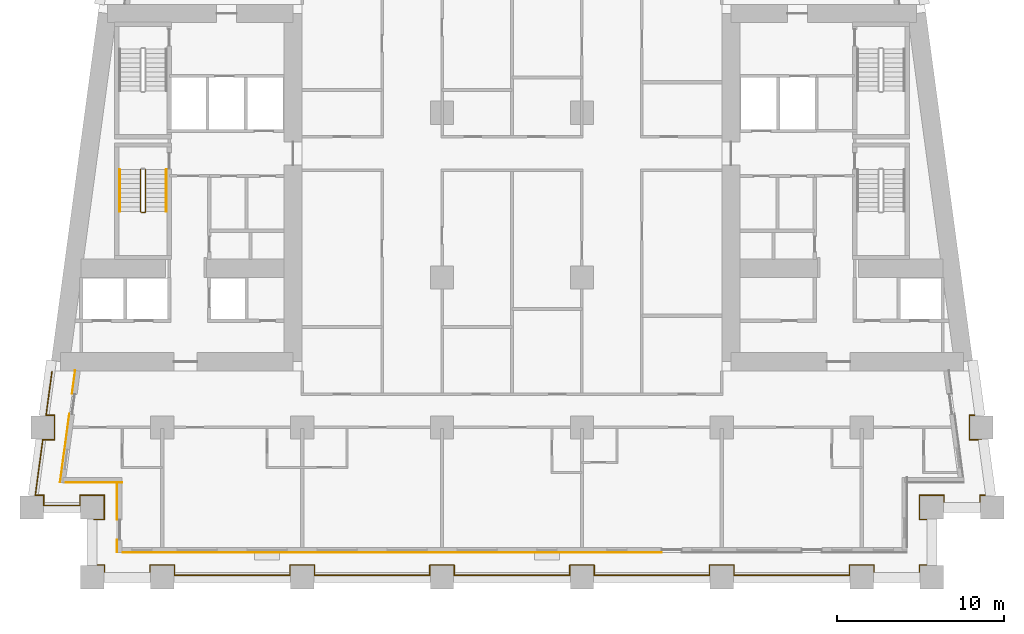
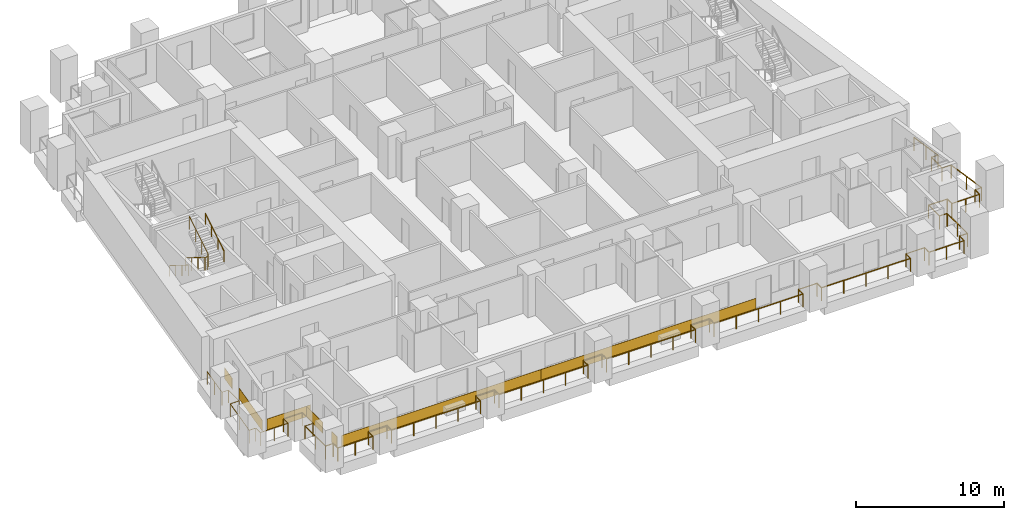
# One storey, part 9 of 13: 7 coverings, 5 railings.
"""IFC4 building model written with IfcOpenShell, lengths in metres."""

from ifc_helpers import new_model, si_unit, direction, frame, origin, origin_2d, place, context, subcontext, project, spatial, rectangle, circle, extrude, material, layer, layer_set, type_object, element, save


model = new_model("IFC4")

# Units and contexts
model_context = context("Model", 3, precision=1e-05, world=origin(), true_north=direction((0.0, 1.0)))
body_context = subcontext(model_context, "Body", "Model", "MODEL_VIEW")
ifc_project = project(units=[si_unit("LENGTHUNIT", "METRE"), si_unit("AREAUNIT", "SQUARE_METRE"), si_unit("VOLUMEUNIT", "CUBIC_METRE"), si_unit("PLANEANGLEUNIT", "RADIAN"), si_unit("MASSUNIT", "GRAM", prefix="KILO")], contexts=[model_context])

# Site, building, storey
site_placement = place(None, origin())
site = spatial("IfcSite", under=ifc_project, at=site_placement, CompositionType="ELEMENT")
building_placement = place(site_placement, origin())
building = spatial("IfcBuilding", under=site, at=building_placement, Name="Candeia Pilgrim Tower and Theatre", CompositionType="ELEMENT")
storey_placement = place(building_placement, frame((0.0, 0.0, 63.5)))
storey = spatial("IfcBuildingStorey", under=building, at=storey_placement, Name="L13", CompositionType="ELEMENT", Elevation=63.5)

# Railings
ifc_material_1 = material(Name="Stainless steel balustrade", Category="steel")
railing_type_1 = type_object("IfcRailingType", Name="G1 loggia guard 1100", PredefinedType="GUARDRAIL", material=ifc_material_1)
railing_1_placement = place(storey_placement, frame((88.320068359375, 101.469970703125, 0.0)))
element("IfcRailing", 1, at=railing_1_placement, inside=storey, type_object=railing_type_1, Name="Guard L13.1", PredefinedType="GUARDRAIL", context=body_context, shape_type="SweptSolid", body=[
    extrude(circle(Radius=0.02392578125, at=origin_2d()), frame((0.0, 0.0, 1.076171875), z_axis=(1.0, 0.0, 0.0), x_axis=(0.0, 1.0, 0.0)), (0.0, 0.0, 1.0), 0.60986328125),
    extrude(circle(Radius=0.02392578125, at=origin_2d()), frame((0.60986328125, 0.0, 1.076171875), z_axis=(0.0, 1.0, 0.0), x_axis=(-1.0, 0.0, 0.0)), (0.0, 0.0, 1.0), 1.4599609375),
    extrude(circle(Radius=0.02392578125, at=origin_2d()), frame((0.60986328125, 1.4599609375, 1.076171875), z_axis=(-1.0, 0.0, 0.0), x_axis=(0.0, -1.0, 0.0)), (0.0, 0.0, 1.0), 1.4599609375),
    extrude(circle(Radius=0.02392578125, at=origin_2d()), frame((-0.85009765625, 1.4599609375, 1.076171875), z_axis=(0.0, -1.0, 0.0), x_axis=(1.0, 0.0, 0.0)), (0.0, 0.0, 1.0), 0.60986328125),
    extrude(circle(Radius=0.02392578125, at=origin_2d()), frame((-0.85009765625, 0.85009765625, 1.076171875), z_axis=(-1.0, 0.0, 0.0), x_axis=(0.0, -1.0, 0.0)), (0.0, 0.0, 1.0), 2.174560546875),
    extrude(circle(Radius=0.02392578125, at=origin_2d()), frame((-3.024658203125, 0.85009765625, 1.076171875), z_axis=(0.0, 1.0, 0.0), x_axis=(-1.0, 0.0, 0.0)), (0.0, 0.0, 1.0), 0.60986328125),
    extrude(circle(Radius=0.02392578125, at=origin_2d()), frame((-3.024658203125, 1.4599609375, 1.076171875), z_axis=(-1.0, 0.0, 0.0), x_axis=(0.0, -1.0, 0.0)), (0.0, 0.0, 1.0), 0.5107421875),
    extrude(circle(Radius=0.02392578125, at=origin_2d()), frame((-3.535400390625, 1.4599609375, 1.076171875), z_axis=(0.133435273035, 0.991057530071, 0.0), x_axis=(-0.991057530071, 0.133435273035, 0.0)), (0.0, 0.0, 1.0), 3.3701171875),
    extrude(circle(Radius=0.02392578125, at=origin_2d()), frame((-3.085693359375, 4.800048828125, 1.076171875), z_axis=(1.0, 0.0, 0.0), x_axis=(0.0, 1.0, 0.0)), (0.0, 0.0, 1.0), 0.707275390625),
    extrude(circle(Radius=0.02392578125, at=origin_2d()), frame((-2.37841796875, 4.800048828125, 1.076171875), z_axis=(0.0, 1.0, 0.0), x_axis=(-1.0, 0.0, 0.0)), (0.0, 0.0, 1.0), 1.4599609375),
    extrude(circle(Radius=0.02392578125, at=origin_2d()), frame((-2.37841796875, 6.260009765625, 1.076171875), z_axis=(-1.0, 0.0, 0.0), x_axis=(0.0, -1.0, 0.0)), (0.0, 0.0, 1.0), 0.5107421875),
    extrude(circle(Radius=0.02392578125, at=origin_2d()), frame((-2.88916015625, 6.260009765625, 1.076171875), z_axis=(0.133439920495, 0.991056904329, 0.0), x_axis=(-0.991056904329, 0.133439920495, 0.0)), (0.0, 0.0, 1.0), 2.643798828125),
    extrude(circle(Radius=0.02099609375, at=origin_2d()), origin(), (0.0, 0.0, 1.0), 1.052001953125),
    extrude(circle(Radius=0.02099609375, at=origin_2d()), frame((0.60986328125, 0.0, 0.0)), (0.0, 0.0, 1.0), 1.052001953125),
    extrude(circle(Radius=0.02099609375, at=origin_2d()), frame((0.60986328125, 1.4599609375, 0.0)), (0.0, 0.0, 1.0), 1.052001953125),
    extrude(circle(Radius=0.02099609375, at=origin_2d()), frame((-0.85009765625, 1.4599609375, 0.0)), (0.0, 0.0, 1.0), 1.052001953125),
    extrude(circle(Radius=0.02099609375, at=origin_2d()), frame((-0.85009765625, 0.85009765625, 0.0)), (0.0, 0.0, 1.0), 1.052001953125),
    extrude(circle(Radius=0.02099609375, at=origin_2d()), frame((-1.9375, 0.85009765625, 0.0)), (0.0, 0.0, 1.0), 1.052001953125),
    extrude(circle(Radius=0.02099609375, at=origin_2d()), frame((-3.024658203125, 0.85009765625, 0.0)), (0.0, 0.0, 1.0), 1.052001953125),
    extrude(circle(Radius=0.02099609375, at=origin_2d()), frame((-3.024658203125, 1.4599609375, 0.0)), (0.0, 0.0, 1.0), 1.052001953125),
    extrude(circle(Radius=0.02099609375, at=origin_2d()), frame((-3.535400390625, 1.4599609375, 0.0)), (0.0, 0.0, 1.0), 1.052001953125),
    extrude(circle(Radius=0.02099609375, at=origin_2d()), frame((-3.310546875, 3.1298828125, 0.0)), (0.0, 0.0, 1.0), 1.052001953125),
    extrude(circle(Radius=0.02099609375, at=origin_2d()), frame((-3.085693359375, 4.800048828125, 0.0)), (0.0, 0.0, 1.0), 1.052001953125),
    extrude(circle(Radius=0.02099609375, at=origin_2d()), frame((-2.37841796875, 4.800048828125, 0.0)), (0.0, 0.0, 1.0), 1.052001953125),
    extrude(circle(Radius=0.02099609375, at=origin_2d()), frame((-2.37841796875, 6.260009765625, 0.0)), (0.0, 0.0, 1.0), 1.052001953125),
    extrude(circle(Radius=0.02099609375, at=origin_2d()), frame((-2.88916015625, 6.260009765625, 0.0)), (0.0, 0.0, 1.0), 1.052001953125),
    extrude(circle(Radius=0.02099609375, at=origin_2d()), frame((-2.712890625, 7.570068359375, 0.0)), (0.0, 0.0, 1.0), 1.052001953125),
    extrude(circle(Radius=0.02099609375, at=origin_2d()), frame((-2.536376953125, 8.880126953125, 0.0)), (0.0, 0.0, 1.0), 1.052001953125),
])
railing_2_placement = place(storey_placement, frame((141.016357421875, 110.35009765625, 0.0)))
element("IfcRailing", 2, at=railing_2_placement, inside=storey, type_object=railing_type_1, Name="Guard L13.4", PredefinedType="GUARDRAIL", context=body_context, shape_type="SweptSolid", body=[
    extrude(circle(Radius=0.02392578125, at=origin_2d()), frame((0.0, 0.0, 1.076171875), z_axis=(0.133439920495, -0.991056904329, 0.0), x_axis=(0.991056904329, 0.133439920495, 0.0)), (0.0, 0.0, 1.0), 2.643798828125),
    extrude(circle(Radius=0.02392578125, at=origin_2d()), frame((0.352783203125, -2.6201171875, 1.076171875), z_axis=(-1.0, 0.0, 0.0), x_axis=(0.0, -1.0, 0.0)), (0.0, 0.0, 1.0), 0.5107421875),
    extrude(circle(Radius=0.02392578125, at=origin_2d()), frame((-0.157958984375, -2.6201171875, 1.076171875), z_axis=(0.0, -1.0, 0.0), x_axis=(1.0, 0.0, 0.0)), (0.0, 0.0, 1.0), 1.4599609375),
    extrude(circle(Radius=0.02392578125, at=origin_2d()), frame((-0.157958984375, -4.080078125, 1.076171875), z_axis=(1.0, 0.0, 0.0), x_axis=(0.0, 1.0, 0.0)), (0.0, 0.0, 1.0), 0.707275390625),
    extrude(circle(Radius=0.02392578125, at=origin_2d()), frame((0.54931640625, -4.080078125, 1.076171875), z_axis=(0.133435273035, -0.991057530071, 0.0), x_axis=(0.991057530071, 0.133435273035, 0.0)), (0.0, 0.0, 1.0), 3.3701171875),
    extrude(circle(Radius=0.02392578125, at=origin_2d()), frame((0.9990234375, -7.420166015625, 1.076171875), z_axis=(-1.0, 0.0, 0.0), x_axis=(0.0, -1.0, 0.0)), (0.0, 0.0, 1.0), 0.5107421875),
    extrude(circle(Radius=0.02392578125, at=origin_2d()), frame((0.48828125, -7.420166015625, 1.076171875), z_axis=(0.0, -1.0, 0.0), x_axis=(1.0, 0.0, 0.0)), (0.0, 0.0, 1.0), 0.60986328125),
    extrude(circle(Radius=0.02392578125, at=origin_2d()), frame((0.48828125, -8.030029296875, 1.076171875), z_axis=(-1.0, 0.0, 0.0), x_axis=(0.0, -1.0, 0.0)), (0.0, 0.0, 1.0), 2.174560546875),
    extrude(circle(Radius=0.02392578125, at=origin_2d()), frame((-1.686279296875, -8.030029296875, 1.076171875), z_axis=(0.0, 1.0, 0.0), x_axis=(-1.0, 0.0, 0.0)), (0.0, 0.0, 1.0), 0.60986328125),
    extrude(circle(Radius=0.02392578125, at=origin_2d()), frame((-1.686279296875, -7.420166015625, 1.076171875), z_axis=(-1.0, 0.0, 0.0), x_axis=(0.0, -1.0, 0.0)), (0.0, 0.0, 1.0), 1.4599609375),
    extrude(circle(Radius=0.02392578125, at=origin_2d()), frame((-3.146240234375, -7.420166015625, 1.076171875), z_axis=(0.0, -1.0, 0.0), x_axis=(1.0, 0.0, 0.0)), (0.0, 0.0, 1.0), 1.4599609375),
    extrude(circle(Radius=0.02392578125, at=origin_2d()), frame((-3.146240234375, -8.880126953125, 1.076171875), z_axis=(1.0, 0.0, 0.0), x_axis=(0.0, 1.0, 0.0)), (0.0, 0.0, 1.0), 0.60986328125),
    extrude(circle(Radius=0.02392578125, at=origin_2d()), frame((-2.536376953125, -8.880126953125, 1.076171875), z_axis=(0.0, -1.0, 0.0), x_axis=(1.0, 0.0, 0.0)), (0.0, 0.0, 1.0), 2.739990234375),
    extrude(circle(Radius=0.02392578125, at=origin_2d()), frame((-2.536376953125, -11.6201171875, 1.076171875), z_axis=(-1.0, 0.0, 0.0), x_axis=(0.0, -1.0, 0.0)), (0.0, 0.0, 1.0), 0.60986328125),
    extrude(circle(Radius=0.02392578125, at=origin_2d()), frame((-3.146240234375, -11.6201171875, 1.076171875), z_axis=(0.0, -1.0, 0.0), x_axis=(1.0, 0.0, 0.0)), (0.0, 0.0, 1.0), 0.60986328125),
    extrude(circle(Radius=0.02392578125, at=origin_2d()), frame((-3.146240234375, -12.22998046875, 1.076171875), z_axis=(-1.0, 0.0, 0.0), x_axis=(0.0, -1.0, 0.0)), (0.0, 0.0, 1.0), 2.740234375),
    extrude(circle(Radius=0.02392578125, at=origin_2d()), frame((-5.886474609375, -12.22998046875, 1.076171875), z_axis=(0.0, 1.0, 0.0), x_axis=(-1.0, 0.0, 0.0)), (0.0, 0.0, 1.0), 0.60986328125),
    extrude(circle(Radius=0.02392578125, at=origin_2d()), frame((-5.886474609375, -11.6201171875, 1.076171875), z_axis=(-1.0, 0.0, 0.0), x_axis=(0.0, -1.0, 0.0)), (0.0, 0.0, 1.0), 1.4599609375),
    extrude(circle(Radius=0.02392578125, at=origin_2d()), frame((-7.346435546875, -11.6201171875, 1.076171875), z_axis=(0.0, -1.0, 0.0), x_axis=(1.0, 0.0, 0.0)), (0.0, 0.0, 1.0), 0.60986328125),
    extrude(circle(Radius=0.02392578125, at=origin_2d()), frame((-7.346435546875, -12.22998046875, 1.076171875), z_axis=(-1.0, 0.0, 0.0), x_axis=(0.0, -1.0, 0.0)), (0.0, 0.0, 1.0), 6.93994140625),
    extrude(circle(Radius=0.02392578125, at=origin_2d()), frame((-14.286376953125, -12.22998046875, 1.076171875), z_axis=(0.0, 1.0, 0.0), x_axis=(-1.0, 0.0, 0.0)), (0.0, 0.0, 1.0), 0.60986328125),
    extrude(circle(Radius=0.02392578125, at=origin_2d()), frame((-14.286376953125, -11.6201171875, 1.076171875), z_axis=(-1.0, 0.0, 0.0), x_axis=(0.0, -1.0, 0.0)), (0.0, 0.0, 1.0), 1.4599609375),
    extrude(circle(Radius=0.02392578125, at=origin_2d()), frame((-15.746337890625, -11.6201171875, 1.076171875), z_axis=(0.0, -1.0, 0.0), x_axis=(1.0, 0.0, 0.0)), (0.0, 0.0, 1.0), 0.60986328125),
    extrude(circle(Radius=0.02392578125, at=origin_2d()), frame((-15.746337890625, -12.22998046875, 1.076171875), z_axis=(-1.0, 0.0, 0.0), x_axis=(0.0, -1.0, 0.0)), (0.0, 0.0, 1.0), 6.93994140625),
    extrude(circle(Radius=0.02392578125, at=origin_2d()), frame((-22.686279296875, -12.22998046875, 1.076171875), z_axis=(0.0, 1.0, 0.0), x_axis=(-1.0, 0.0, 0.0)), (0.0, 0.0, 1.0), 0.60986328125),
    extrude(circle(Radius=0.02392578125, at=origin_2d()), frame((-22.686279296875, -11.6201171875, 1.076171875), z_axis=(-1.0, 0.0, 0.0), x_axis=(0.0, -1.0, 0.0)), (0.0, 0.0, 1.0), 1.4599609375),
    extrude(circle(Radius=0.02392578125, at=origin_2d()), frame((-24.146240234375, -11.6201171875, 1.076171875), z_axis=(0.0, -1.0, 0.0), x_axis=(1.0, 0.0, 0.0)), (0.0, 0.0, 1.0), 0.60986328125),
    extrude(circle(Radius=0.02392578125, at=origin_2d()), frame((-24.146240234375, -12.22998046875, 1.076171875), z_axis=(-1.0, 0.0, 0.0), x_axis=(0.0, -1.0, 0.0)), (0.0, 0.0, 1.0), 6.940185546875),
    extrude(circle(Radius=0.02392578125, at=origin_2d()), frame((-31.08642578125, -12.22998046875, 1.076171875), z_axis=(0.0, 1.0, 0.0), x_axis=(-1.0, 0.0, 0.0)), (0.0, 0.0, 1.0), 0.60986328125),
    extrude(circle(Radius=0.02392578125, at=origin_2d()), frame((-31.08642578125, -11.6201171875, 1.076171875), z_axis=(-1.0, 0.0, 0.0), x_axis=(0.0, -1.0, 0.0)), (0.0, 0.0, 1.0), 1.4599609375),
    extrude(circle(Radius=0.02392578125, at=origin_2d()), frame((-32.54638671875, -11.6201171875, 1.076171875), z_axis=(0.0, -1.0, 0.0), x_axis=(1.0, 0.0, 0.0)), (0.0, 0.0, 1.0), 0.60986328125),
    extrude(circle(Radius=0.02392578125, at=origin_2d()), frame((-32.54638671875, -12.22998046875, 1.076171875), z_axis=(-1.0, 0.0, 0.0), x_axis=(0.0, -1.0, 0.0)), (0.0, 0.0, 1.0), 6.93994140625),
    extrude(circle(Radius=0.02392578125, at=origin_2d()), frame((-39.486328125, -12.22998046875, 1.076171875), z_axis=(0.0, 1.0, 0.0), x_axis=(-1.0, 0.0, 0.0)), (0.0, 0.0, 1.0), 0.60986328125),
    extrude(circle(Radius=0.02392578125, at=origin_2d()), frame((-39.486328125, -11.6201171875, 1.076171875), z_axis=(-1.0, 0.0, 0.0), x_axis=(0.0, -1.0, 0.0)), (0.0, 0.0, 1.0), 1.4599609375),
    extrude(circle(Radius=0.02392578125, at=origin_2d()), frame((-40.9462890625, -11.6201171875, 1.076171875), z_axis=(0.0, -1.0, 0.0), x_axis=(1.0, 0.0, 0.0)), (0.0, 0.0, 1.0), 0.60986328125),
    extrude(circle(Radius=0.02392578125, at=origin_2d()), frame((-40.9462890625, -12.22998046875, 1.076171875), z_axis=(-1.0, 0.0, 0.0), x_axis=(0.0, -1.0, 0.0)), (0.0, 0.0, 1.0), 6.940185546875),
    extrude(circle(Radius=0.02392578125, at=origin_2d()), frame((-47.886474609375, -12.22998046875, 1.076171875), z_axis=(0.0, 1.0, 0.0), x_axis=(-1.0, 0.0, 0.0)), (0.0, 0.0, 1.0), 0.60986328125),
    extrude(circle(Radius=0.02392578125, at=origin_2d()), frame((-47.886474609375, -11.6201171875, 1.076171875), z_axis=(-1.0, 0.0, 0.0), x_axis=(0.0, -1.0, 0.0)), (0.0, 0.0, 1.0), 1.4599609375),
    extrude(circle(Radius=0.02392578125, at=origin_2d()), frame((-49.346435546875, -11.6201171875, 1.076171875), z_axis=(0.0, -1.0, 0.0), x_axis=(1.0, 0.0, 0.0)), (0.0, 0.0, 1.0), 0.60986328125),
    extrude(circle(Radius=0.02392578125, at=origin_2d()), frame((-49.346435546875, -12.22998046875, 1.076171875), z_axis=(-1.0, 0.0, 0.0), x_axis=(0.0, -1.0, 0.0)), (0.0, 0.0, 1.0), 2.739990234375),
    extrude(circle(Radius=0.02392578125, at=origin_2d()), frame((-52.08642578125, -12.22998046875, 1.076171875), z_axis=(0.0, 1.0, 0.0), x_axis=(-1.0, 0.0, 0.0)), (0.0, 0.0, 1.0), 0.60986328125),
    extrude(circle(Radius=0.02392578125, at=origin_2d()), frame((-52.08642578125, -11.6201171875, 1.076171875), z_axis=(-1.0, 0.0, 0.0), x_axis=(0.0, -1.0, 0.0)), (0.0, 0.0, 1.0), 0.60986328125),
    extrude(circle(Radius=0.02392578125, at=origin_2d()), frame((-52.6962890625, -11.6201171875, 1.076171875), z_axis=(0.0, 1.0, 0.0), x_axis=(-1.0, 0.0, 0.0)), (0.0, 0.0, 1.0), 2.739990234375),
    extrude(circle(Radius=0.02099609375, at=origin_2d()), origin(), (0.0, 0.0, 1.0), 1.052001953125),
    extrude(circle(Radius=0.02099609375, at=origin_2d()), frame((0.17626953125, -1.31005859375, 0.0)), (0.0, 0.0, 1.0), 1.052001953125),
    extrude(circle(Radius=0.02099609375, at=origin_2d()), frame((0.352783203125, -2.6201171875, 0.0)), (0.0, 0.0, 1.0), 1.052001953125),
    extrude(circle(Radius=0.02099609375, at=origin_2d()), frame((-0.157958984375, -2.6201171875, 0.0)), (0.0, 0.0, 1.0), 1.052001953125),
    extrude(circle(Radius=0.02099609375, at=origin_2d()), frame((-0.157958984375, -4.080078125, 0.0)), (0.0, 0.0, 1.0), 1.052001953125),
    extrude(circle(Radius=0.02099609375, at=origin_2d()), frame((0.54931640625, -4.080078125, 0.0)), (0.0, 0.0, 1.0), 1.052001953125),
    extrude(circle(Radius=0.02099609375, at=origin_2d()), frame((0.774169921875, -5.75, 0.0)), (0.0, 0.0, 1.0), 1.052001953125),
    extrude(circle(Radius=0.02099609375, at=origin_2d()), frame((0.9990234375, -7.420166015625, 0.0)), (0.0, 0.0, 1.0), 1.052001953125),
    extrude(circle(Radius=0.02099609375, at=origin_2d()), frame((0.48828125, -7.420166015625, 0.0)), (0.0, 0.0, 1.0), 1.052001953125),
    extrude(circle(Radius=0.02099609375, at=origin_2d()), frame((0.48828125, -8.030029296875, 0.0)), (0.0, 0.0, 1.0), 1.052001953125),
    extrude(circle(Radius=0.02099609375, at=origin_2d()), frame((-0.59912109375, -8.030029296875, 0.0)), (0.0, 0.0, 1.0), 1.052001953125),
    extrude(circle(Radius=0.02099609375, at=origin_2d()), frame((-1.686279296875, -8.030029296875, 0.0)), (0.0, 0.0, 1.0), 1.052001953125),
    extrude(circle(Radius=0.02099609375, at=origin_2d()), frame((-1.686279296875, -7.420166015625, 0.0)), (0.0, 0.0, 1.0), 1.052001953125),
    extrude(circle(Radius=0.02099609375, at=origin_2d()), frame((-3.146240234375, -7.420166015625, 0.0)), (0.0, 0.0, 1.0), 1.052001953125),
    extrude(circle(Radius=0.02099609375, at=origin_2d()), frame((-3.146240234375, -8.880126953125, 0.0)), (0.0, 0.0, 1.0), 1.052001953125),
    extrude(circle(Radius=0.02099609375, at=origin_2d()), frame((-2.536376953125, -8.880126953125, 0.0)), (0.0, 0.0, 1.0), 1.052001953125),
    extrude(circle(Radius=0.02099609375, at=origin_2d()), frame((-2.536376953125, -10.25, 0.0)), (0.0, 0.0, 1.0), 1.052001953125),
    extrude(circle(Radius=0.02099609375, at=origin_2d()), frame((-2.536376953125, -11.6201171875, 0.0)), (0.0, 0.0, 1.0), 1.052001953125),
    extrude(circle(Radius=0.02099609375, at=origin_2d()), frame((-3.146240234375, -11.6201171875, 0.0)), (0.0, 0.0, 1.0), 1.052001953125),
    extrude(circle(Radius=0.02099609375, at=origin_2d()), frame((-3.146240234375, -12.22998046875, 0.0)), (0.0, 0.0, 1.0), 1.052001953125),
    extrude(circle(Radius=0.02099609375, at=origin_2d()), frame((-4.516357421875, -12.22998046875, 0.0)), (0.0, 0.0, 1.0), 1.052001953125),
    extrude(circle(Radius=0.02099609375, at=origin_2d()), frame((-5.886474609375, -12.22998046875, 0.0)), (0.0, 0.0, 1.0), 1.052001953125),
    extrude(circle(Radius=0.02099609375, at=origin_2d()), frame((-5.886474609375, -11.6201171875, 0.0)), (0.0, 0.0, 1.0), 1.052001953125),
    extrude(circle(Radius=0.02099609375, at=origin_2d()), frame((-7.346435546875, -11.6201171875, 0.0)), (0.0, 0.0, 1.0), 1.052001953125),
    extrude(circle(Radius=0.02099609375, at=origin_2d()), frame((-7.346435546875, -12.22998046875, 0.0)), (0.0, 0.0, 1.0), 1.052001953125),
    extrude(circle(Radius=0.02099609375, at=origin_2d()), frame((-9.08154296875, -12.22998046875, 0.0)), (0.0, 0.0, 1.0), 1.052001953125),
    extrude(circle(Radius=0.02099609375, at=origin_2d()), frame((-10.81640625, -12.22998046875, 0.0)), (0.0, 0.0, 1.0), 1.052001953125),
    extrude(circle(Radius=0.02099609375, at=origin_2d()), frame((-12.55126953125, -12.22998046875, 0.0)), (0.0, 0.0, 1.0), 1.052001953125),
    extrude(circle(Radius=0.02099609375, at=origin_2d()), frame((-14.286376953125, -12.22998046875, 0.0)), (0.0, 0.0, 1.0), 1.052001953125),
    extrude(circle(Radius=0.02099609375, at=origin_2d()), frame((-14.286376953125, -11.6201171875, 0.0)), (0.0, 0.0, 1.0), 1.052001953125),
    extrude(circle(Radius=0.02099609375, at=origin_2d()), frame((-15.746337890625, -11.6201171875, 0.0)), (0.0, 0.0, 1.0), 1.052001953125),
    extrude(circle(Radius=0.02099609375, at=origin_2d()), frame((-15.746337890625, -12.22998046875, 0.0)), (0.0, 0.0, 1.0), 1.052001953125),
    extrude(circle(Radius=0.02099609375, at=origin_2d()), frame((-17.4814453125, -12.22998046875, 0.0)), (0.0, 0.0, 1.0), 1.052001953125),
    extrude(circle(Radius=0.02099609375, at=origin_2d()), frame((-19.21630859375, -12.22998046875, 0.0)), (0.0, 0.0, 1.0), 1.052001953125),
    extrude(circle(Radius=0.02099609375, at=origin_2d()), frame((-20.951171875, -12.22998046875, 0.0)), (0.0, 0.0, 1.0), 1.052001953125),
    extrude(circle(Radius=0.02099609375, at=origin_2d()), frame((-22.686279296875, -12.22998046875, 0.0)), (0.0, 0.0, 1.0), 1.052001953125),
    extrude(circle(Radius=0.02099609375, at=origin_2d()), frame((-22.686279296875, -11.6201171875, 0.0)), (0.0, 0.0, 1.0), 1.052001953125),
    extrude(circle(Radius=0.02099609375, at=origin_2d()), frame((-24.146240234375, -11.6201171875, 0.0)), (0.0, 0.0, 1.0), 1.052001953125),
    extrude(circle(Radius=0.02099609375, at=origin_2d()), frame((-24.146240234375, -12.22998046875, 0.0)), (0.0, 0.0, 1.0), 1.052001953125),
    extrude(circle(Radius=0.02099609375, at=origin_2d()), frame((-25.88134765625, -12.22998046875, 0.0)), (0.0, 0.0, 1.0), 1.052001953125),
    extrude(circle(Radius=0.02099609375, at=origin_2d()), frame((-27.6162109375, -12.22998046875, 0.0)), (0.0, 0.0, 1.0), 1.052001953125),
    extrude(circle(Radius=0.02099609375, at=origin_2d()), frame((-29.351318359375, -12.22998046875, 0.0)), (0.0, 0.0, 1.0), 1.052001953125),
    extrude(circle(Radius=0.02099609375, at=origin_2d()), frame((-31.08642578125, -12.22998046875, 0.0)), (0.0, 0.0, 1.0), 1.052001953125),
    extrude(circle(Radius=0.02099609375, at=origin_2d()), frame((-31.08642578125, -11.6201171875, 0.0)), (0.0, 0.0, 1.0), 1.052001953125),
    extrude(circle(Radius=0.02099609375, at=origin_2d()), frame((-32.54638671875, -11.6201171875, 0.0)), (0.0, 0.0, 1.0), 1.052001953125),
    extrude(circle(Radius=0.02099609375, at=origin_2d()), frame((-32.54638671875, -12.22998046875, 0.0)), (0.0, 0.0, 1.0), 1.052001953125),
    extrude(circle(Radius=0.02099609375, at=origin_2d()), frame((-34.28125, -12.22998046875, 0.0)), (0.0, 0.0, 1.0), 1.052001953125),
    extrude(circle(Radius=0.02099609375, at=origin_2d()), frame((-36.016357421875, -12.22998046875, 0.0)), (0.0, 0.0, 1.0), 1.052001953125),
    extrude(circle(Radius=0.02099609375, at=origin_2d()), frame((-37.75146484375, -12.22998046875, 0.0)), (0.0, 0.0, 1.0), 1.052001953125),
    extrude(circle(Radius=0.02099609375, at=origin_2d()), frame((-39.486328125, -12.22998046875, 0.0)), (0.0, 0.0, 1.0), 1.052001953125),
    extrude(circle(Radius=0.02099609375, at=origin_2d()), frame((-39.486328125, -11.6201171875, 0.0)), (0.0, 0.0, 1.0), 1.052001953125),
    extrude(circle(Radius=0.02099609375, at=origin_2d()), frame((-40.9462890625, -11.6201171875, 0.0)), (0.0, 0.0, 1.0), 1.052001953125),
    extrude(circle(Radius=0.02099609375, at=origin_2d()), frame((-40.9462890625, -12.22998046875, 0.0)), (0.0, 0.0, 1.0), 1.052001953125),
    extrude(circle(Radius=0.02099609375, at=origin_2d()), frame((-42.681396484375, -12.22998046875, 0.0)), (0.0, 0.0, 1.0), 1.052001953125),
    extrude(circle(Radius=0.02099609375, at=origin_2d()), frame((-44.41650390625, -12.22998046875, 0.0)), (0.0, 0.0, 1.0), 1.052001953125),
    extrude(circle(Radius=0.02099609375, at=origin_2d()), frame((-46.1513671875, -12.22998046875, 0.0)), (0.0, 0.0, 1.0), 1.052001953125),
    extrude(circle(Radius=0.02099609375, at=origin_2d()), frame((-47.886474609375, -12.22998046875, 0.0)), (0.0, 0.0, 1.0), 1.052001953125),
    extrude(circle(Radius=0.02099609375, at=origin_2d()), frame((-47.886474609375, -11.6201171875, 0.0)), (0.0, 0.0, 1.0), 1.052001953125),
    extrude(circle(Radius=0.02099609375, at=origin_2d()), frame((-49.346435546875, -11.6201171875, 0.0)), (0.0, 0.0, 1.0), 1.052001953125),
    extrude(circle(Radius=0.02099609375, at=origin_2d()), frame((-49.346435546875, -12.22998046875, 0.0)), (0.0, 0.0, 1.0), 1.052001953125),
    extrude(circle(Radius=0.02099609375, at=origin_2d()), frame((-50.71630859375, -12.22998046875, 0.0)), (0.0, 0.0, 1.0), 1.052001953125),
    extrude(circle(Radius=0.02099609375, at=origin_2d()), frame((-52.08642578125, -12.22998046875, 0.0)), (0.0, 0.0, 1.0), 1.052001953125),
    extrude(circle(Radius=0.02099609375, at=origin_2d()), frame((-52.08642578125, -11.6201171875, 0.0)), (0.0, 0.0, 1.0), 1.052001953125),
    extrude(circle(Radius=0.02099609375, at=origin_2d()), frame((-52.6962890625, -11.6201171875, 0.0)), (0.0, 0.0, 1.0), 1.052001953125),
    extrude(circle(Radius=0.02099609375, at=origin_2d()), frame((-52.6962890625, -10.25, 0.0)), (0.0, 0.0, 1.0), 1.052001953125),
    extrude(circle(Radius=0.02099609375, at=origin_2d()), frame((-52.6962890625, -8.880126953125, 0.0)), (0.0, 0.0, 1.0), 1.052001953125),
])

# Coverings
ifc_material_2 = material(Name="Glazed ceramic tile deep red")
ifc_layer_1 = layer(ifc_material_2, 0.02001953125)
ifc_layer_set_1 = layer_set([ifc_layer_1], Name="Glazed ceramic tile deep red")
covering_type_1 = type_object("IfcCoveringType", Name="Glazed ceramic tile deep red", PredefinedType="CLADDING", material=ifc_layer_set_1)
covering_1_placement = place(storey_placement, frame((97.81005859375, 99.489990234375, 0.0), z_axis=(0.0, 0.0, 1.0), x_axis=(1.0, 0.0, 0.0)))
element("IfcCovering", 3, at=covering_1_placement, inside=storey, type_object=covering_type_1, Name="Tile cladding deep red L13", PredefinedType="CLADDING", context=body_context, shape_type="SweptSolid", body=[
    extrude(rectangle(XDim=15.580078125, YDim=0.02001953125, at=origin_2d()), origin(), (0.0, 0.0, 1.0), 0.89990234375),
])
covering_2_placement = place(storey_placement, frame((87.0810546875, 109.71875, 0.0), z_axis=(0.0, 0.0, 1.0), x_axis=(-0.133412012145, -0.991060661622, 0.0)))
element("IfcCovering", 4, at=covering_2_placement, inside=storey, type_object=covering_type_1, Name="Tile cladding deep red L13", PredefinedType="CLADDING", context=body_context, shape_type="SweptSolid", body=[
    extrude(rectangle(XDim=1.41796875, YDim=0.02001953125, at=origin_2d()), origin(), (0.0, 0.0, 1.0), 0.89990234375),
])
covering_3_placement = place(storey_placement, frame((86.548583984375, 105.763916015625, 0.0), z_axis=(0.0, 0.0, 1.0), x_axis=(-0.133412012145, -0.991060661622, 0.0)))
element("IfcCovering", 5, at=covering_3_placement, inside=storey, type_object=covering_type_1, Name="Tile cladding deep red L13", PredefinedType="CLADDING", context=body_context, shape_type="SweptSolid", body=[
    extrude(rectangle(XDim=4.16259765625, YDim=0.02001953125, at=origin_2d()), origin(), (0.0, 0.0, 1.0), 0.89990234375),
])
covering_4_placement = place(storey_placement, frame((88.311279296875, 103.68994140625, 0.0), z_axis=(0.0, 0.0, 1.0), x_axis=(1.0, 0.0, 0.0)))
element("IfcCovering", 6, at=covering_4_placement, inside=storey, type_object=covering_type_1, Name="Tile cladding deep red L13", PredefinedType="CLADDING", context=body_context, shape_type="SweptSolid", body=[
    extrude(rectangle(XDim=3.377685546875, YDim=0.02001953125, at=origin_2d()), origin(), (0.0, 0.0, 1.0), 0.89990234375),
])
covering_5_placement = place(storey_placement, frame((89.68994140625, 102.56494140625, 0.0), z_axis=(0.0, 0.0, 1.0), x_axis=(0.0, -1.0, 0.0)))
element("IfcCovering", 7, at=covering_5_placement, inside=storey, type_object=covering_type_1, Name="Tile cladding deep red L13", PredefinedType="CLADDING", context=body_context, shape_type="SweptSolid", body=[
    extrude(rectangle(XDim=2.22998046875, YDim=0.02001953125, at=origin_2d()), origin(), (0.0, 0.0, 1.0), 0.89990234375),
])
covering_6_placement = place(storey_placement, frame((89.68994140625, 99.875, 0.0), z_axis=(0.0, 0.0, 1.0), x_axis=(0.0, -1.0, 0.0)))
element("IfcCovering", 8, at=covering_6_placement, inside=storey, type_object=covering_type_1, Name="Tile cladding deep red L13", PredefinedType="CLADDING", context=body_context, shape_type="SweptSolid", body=[
    extrude(rectangle(XDim=0.75, YDim=0.02001953125, at=origin_2d()), origin(), (0.0, 0.0, 1.0), 0.89990234375),
])
ifc_material_3 = material(Name="Glazed ceramic tile red")
ifc_layer_2 = layer(ifc_material_3, 0.02001953125)
ifc_layer_set_2 = layer_set([ifc_layer_2], Name="Glazed ceramic tile red")
covering_type_2 = type_object("IfcCoveringType", Name="Glazed ceramic tile red", PredefinedType="CLADDING", material=ifc_layer_set_2)
covering_7_placement = place(storey_placement, frame((114.0, 99.489990234375, 0.0), z_axis=(0.0, 0.0, 1.0), x_axis=(1.0, 0.0, 0.0)))
element("IfcCovering", 9, at=covering_7_placement, inside=storey, type_object=covering_type_2, Name="Tile cladding red L13", PredefinedType="CLADDING", context=body_context, shape_type="SweptSolid", body=[
    extrude(rectangle(XDim=16.800048828125, YDim=0.02001953125, at=origin_2d()), origin(), (0.0, 0.0, 1.0), 0.89990234375),
])

# Railings
railing_type_2 = type_object("IfcRailingType", Name="RL-GUARD-1100", PredefinedType="GUARDRAIL", material=ifc_material_1)
railing_3_placement = place(storey_placement, frame((91.10205078125, 122.47509765625, 0.175048828125)))
element("IfcRailing", 10, at=railing_3_placement, inside=storey, type_object=railing_type_2, Name="L13 ST1 stair guard 1", PredefinedType="GUARDRAIL", context=body_context, shape_type="SweptSolid", body=[
    extrude(circle(Radius=0.02392578125, at=origin_2d()), frame((0.0, 0.0, 1.076171875), z_axis=(0.0, -0.848007534815, 0.529984170421), x_axis=(1.0, 0.0, 0.0)), (0.0, 0.0, 1.0), 2.9716796875),
    extrude(circle(Radius=0.02392578125, at=origin_2d()), frame((0.0, -2.52001953125, 2.65087890625), z_axis=(0.707106781187, -0.707106781187, 0.0), x_axis=(0.707106781187, 0.707106781187, 0.0)), (0.0, 0.0, 1.0), 0.07080078125),
    extrude(circle(Radius=0.02392578125, at=origin_2d()), frame((0.050048828125, -2.570068359375, 2.65087890625), z_axis=(1.0, 0.0, 0.0), x_axis=(0.0, 1.0, 0.0)), (0.0, 0.0, 1.0), 0.199951171875),
    extrude(circle(Radius=0.02392578125, at=origin_2d()), frame((0.25, -2.570068359375, 2.65087890625), z_axis=(0.265065253269, 0.265065253269, 0.927081885822), x_axis=(-0.707106781187, 0.707106781187, 0.0)), (0.0, 0.0, 1.0), 0.188720703125),
    extrude(circle(Radius=0.02392578125, at=origin_2d()), frame((0.300048828125, -2.52001953125, 2.826171875), z_axis=(0.0, 0.848007534815, 0.529984170421), x_axis=(-1.0, 0.0, 0.0)), (0.0, 0.0, 1.0), 2.9716796875),
    extrude(circle(Radius=0.02099609375, at=origin_2d()), origin(), (0.0, 0.0, 1.0), 1.052001953125),
    extrude(circle(Radius=0.02099609375, at=origin_2d()), frame((0.0, -0.840087890625, 0.52490234375)), (0.0, 0.0, 1.0), 1.052001953125),
    extrude(circle(Radius=0.02099609375, at=origin_2d()), frame((0.0, -1.679931640625, 1.050048828125)), (0.0, 0.0, 1.0), 1.052001953125),
    extrude(circle(Radius=0.02099609375, at=origin_2d()), frame((0.0, -2.52001953125, 1.574951171875)), (0.0, 0.0, 1.0), 1.052001953125),
    extrude(circle(Radius=0.02099609375, at=origin_2d()), frame((0.050048828125, -2.570068359375, 1.574951171875)), (0.0, 0.0, 1.0), 1.052001953125),
    extrude(circle(Radius=0.02099609375, at=origin_2d()), frame((0.25, -2.570068359375, 1.574951171875)), (0.0, 0.0, 1.0), 1.052001953125),
    extrude(circle(Radius=0.02099609375, at=origin_2d()), frame((0.300048828125, -2.52001953125, 1.75)), (0.0, 0.0, 1.0), 1.052001953125),
    extrude(circle(Radius=0.02099609375, at=origin_2d()), frame((0.300048828125, -1.679931640625, 2.27490234375)), (0.0, 0.0, 1.0), 1.052001953125),
    extrude(circle(Radius=0.02099609375, at=origin_2d()), frame((0.300048828125, -0.840087890625, 2.800048828125)), (0.0, 0.0, 1.0), 1.052001953125),
    extrude(circle(Radius=0.02099609375, at=origin_2d()), frame((0.300048828125, 0.0, 3.324951171875)), (0.0, 0.0, 1.0), 1.052001953125),
])
ifc_material_4 = material(Name="Stainless steel handrail", Category="steel")
railing_type_3 = type_object("IfcRailingType", Name="RL-HANDRAIL-900", PredefinedType="HANDRAIL", material=ifc_material_4)
railing_4_placement = place(storey_placement, frame((89.85205078125, 122.47509765625, 0.175048828125)))
element("IfcRailing", 11, at=railing_4_placement, inside=storey, type_object=railing_type_3, Name="L13 ST1 stair handrail 1", PredefinedType="HANDRAIL", context=body_context, shape_type="SweptSolid", body=[
    extrude(circle(Radius=0.02392578125, at=origin_2d()), frame((0.0, 0.0, 0.8759765625), z_axis=(0.0, -0.848007534815, 0.529984170421), x_axis=(1.0, 0.0, 0.0)), (0.0, 0.0, 1.0), 2.9716796875),
    extrude(circle(Radius=0.02099609375, at=origin_2d()), origin(), (0.0, 0.0, 1.0), 0.851806640625),
    extrude(circle(Radius=0.02099609375, at=origin_2d()), frame((0.0, -0.840087890625, 0.52490234375)), (0.0, 0.0, 1.0), 0.851806640625),
    extrude(circle(Radius=0.02099609375, at=origin_2d()), frame((0.0, -1.679931640625, 1.050048828125)), (0.0, 0.0, 1.0), 0.851806640625),
    extrude(circle(Radius=0.02099609375, at=origin_2d()), frame((0.0, -2.52001953125, 1.574951171875)), (0.0, 0.0, 1.0), 0.851806640625),
])
railing_5_placement = place(storey_placement, frame((92.652099609375, 119.955078125, 1.925048828125)))
element("IfcRailing", 12, at=railing_5_placement, inside=storey, type_object=railing_type_3, Name="L13 ST1 stair handrail 2", PredefinedType="HANDRAIL", context=body_context, shape_type="SweptSolid", body=[
    extrude(circle(Radius=0.02392578125, at=origin_2d()), frame((0.0, 0.0, 0.8759765625), z_axis=(0.0, 0.848007534815, 0.529984170421), x_axis=(-1.0, 0.0, 0.0)), (0.0, 0.0, 1.0), 2.9716796875),
    extrude(circle(Radius=0.02099609375, at=origin_2d()), origin(), (0.0, 0.0, 1.0), 0.851806640625),
    extrude(circle(Radius=0.02099609375, at=origin_2d()), frame((0.0, 0.840087890625, 0.52490234375)), (0.0, 0.0, 1.0), 0.851806640625),
    extrude(circle(Radius=0.02099609375, at=origin_2d()), frame((0.0, 1.679931640625, 1.050048828125)), (0.0, 0.0, 1.0), 0.851806640625),
    extrude(circle(Radius=0.02099609375, at=origin_2d()), frame((0.0, 2.52001953125, 1.574951171875)), (0.0, 0.0, 1.0), 0.851806640625),
])

save(model, "model.ifc")
